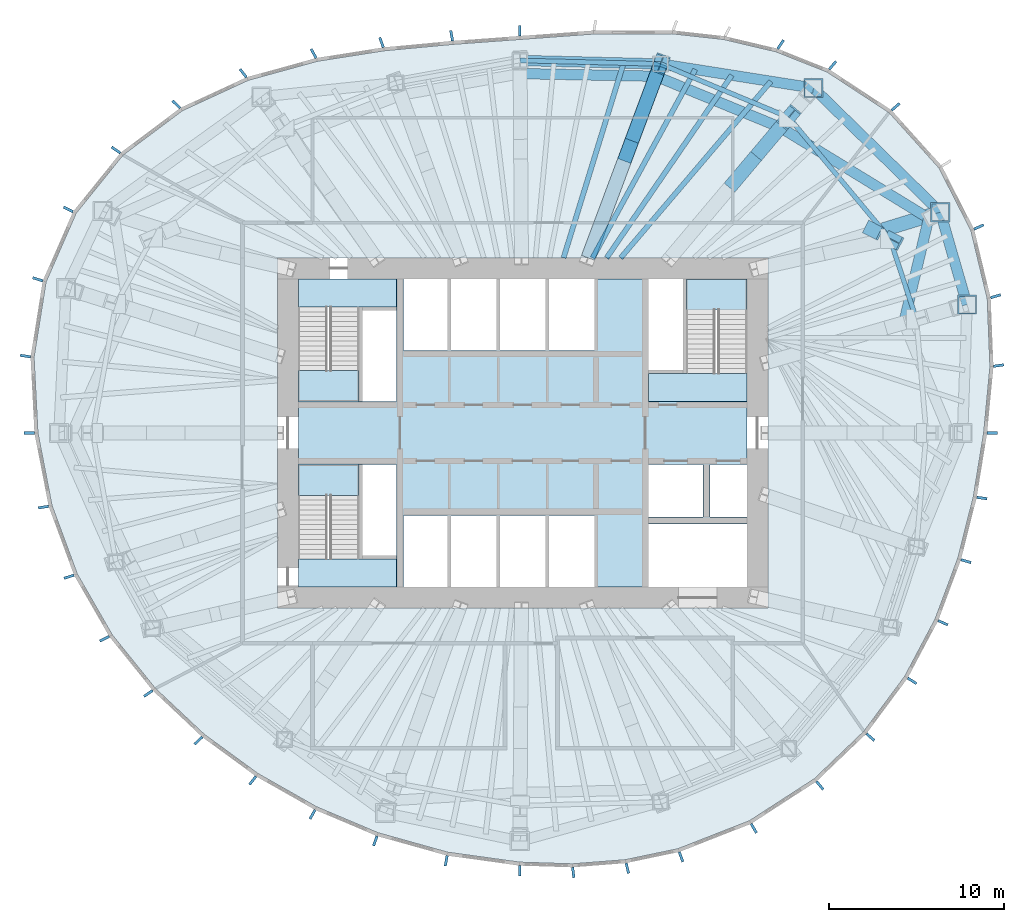
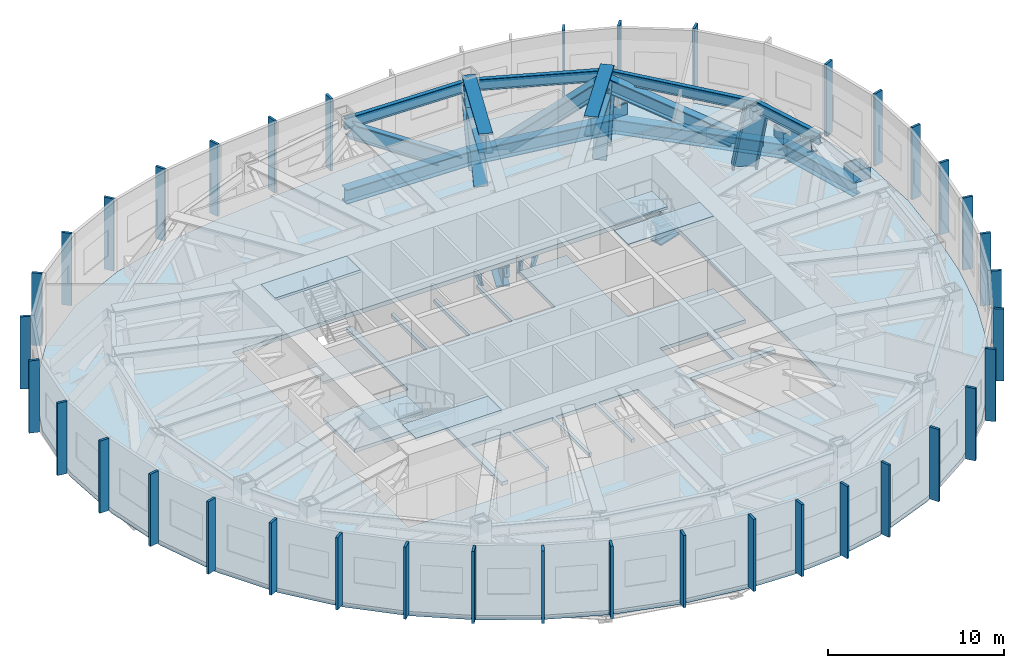
# One storey, part 5 of 11: 38 plates, 18 members, 8 beams, 8 slabs, 3 elements without a shape of their own.
"""IFC4 building model written with IfcOpenShell, lengths in metres."""

from ifc_helpers import new_model, si_unit, direction, frame, origin, origin_2d, place, context, subcontext, project, spatial, polyline, rectangle, hollow_rectangle, i_section, outline, extrude, material, layer, layer_set, material_profile, profile_set, type_object, element, aggregate, save


model = new_model("IFC4")

# Units and contexts
model_context = context("Model", 3, precision=1e-05, world=origin(), true_north=direction((0.0, 1.0)))
body_context = subcontext(model_context, "Body", "Model", "MODEL_VIEW")
ifc_project = project(units=[si_unit("LENGTHUNIT", "METRE"), si_unit("AREAUNIT", "SQUARE_METRE"), si_unit("VOLUMEUNIT", "CUBIC_METRE"), si_unit("PLANEANGLEUNIT", "RADIAN"), si_unit("MASSUNIT", "GRAM", prefix="KILO")], contexts=[model_context])

# Site, building, storey
site_placement = place(None, origin())
site = spatial("IfcSite", under=ifc_project, at=site_placement, CompositionType="ELEMENT")
building_placement = place(site_placement, origin())
building = spatial("IfcBuilding", under=site, at=building_placement, Name="Ghaith Harvest Tower", CompositionType="ELEMENT")
storey_placement = place(building_placement, frame((0.0, 0.0, 266.199951171875)))
storey = spatial("IfcBuildingStorey", under=building, at=storey_placement, Name="L59", CompositionType="ELEMENT", Elevation=266.199951171875)

# Members
ifc_material_1 = material(Name="Steel ASTM A992 Grade 50", Category="steel")
ifc_material_profile_1 = material_profile(ifc_material_1, i_section(OverallWidth=0.26806640625, OverallDepth=0.77001953125, WebThickness=0.015625, FlangeThickness=0.025390625, at=origin_2d()), Name="W760X196")
ifc_profile_set_1 = profile_set([ifc_material_profile_1], Name="Steel ASTM A992 Grade 50")
member_type_1 = type_object("IfcMemberType", Name="BC760-196 W760X196", PredefinedType="CHORD", material=ifc_profile_set_1)
member_1_placement = place(storey_placement, frame((22.485107421875, 6.4990234375, 4.130126953125), z_axis=(-0.312206727278, 0.950014189074, 0.0), x_axis=(-0.950014189074, -0.312206727278, 0.0)))
element("IfcMember", 1, at=member_1_placement, inside=storey, type_object=member_type_1, Name="Belt truss BT02 top chord", PredefinedType="CHORD", context=body_context, shape_type="SweptSolid", body=[
    extrude(i_section(OverallWidth=0.26806640625, OverallDepth=0.77001953125, WebThickness=0.015625, FlangeThickness=0.025390625, at=origin_2d()), origin(), (0.0, 0.0, 1.0), 4.830322265625),
])
member_2_placement = place(storey_placement, frame((20.97705078125, 11.087890625, 4.130126953125), z_axis=(-0.640173759088, 0.76823014662, 0.0), x_axis=(-0.76823014662, -0.640173759088, 0.0)))
element("IfcMember", 2, at=member_2_placement, inside=storey, type_object=member_type_1, Name="Belt truss BT03 top chord", PredefinedType="CHORD", context=body_context, shape_type="SweptSolid", body=[
    extrude(i_section(OverallWidth=0.26806640625, OverallDepth=0.77001953125, WebThickness=0.015625, FlangeThickness=0.025390625, at=origin_2d()), origin(), (0.0, 0.0, 1.0), 9.02734375),
])
member_3_placement = place(storey_placement, frame((15.197998046875, 18.02294921875, 4.130126953125), z_axis=(-0.923119729219, 0.384512633766, 0.0), x_axis=(-0.384512633766, -0.923119729219, 0.0)))
element("IfcMember", 3, at=member_3_placement, inside=storey, type_object=member_type_1, Name="Belt truss BT04 top chord", PredefinedType="CHORD", context=body_context, shape_type="SweptSolid", body=[
    extrude(i_section(OverallWidth=0.26806640625, OverallDepth=0.77001953125, WebThickness=0.015625, FlangeThickness=0.025390625, at=origin_2d()), origin(), (0.0, 0.0, 1.0), 7.9296875),
])
member_4_placement = place(storey_placement, frame((7.8779296875, 21.072021484375, 4.130126953125), z_axis=(-0.999692679676, 0.024790042413, 0.0), x_axis=(-0.024790042413, -0.999692679676, 0.0)))
element("IfcMember", 4, at=member_4_placement, inside=storey, type_object=member_type_1, Name="Belt truss BT05 top chord", PredefinedType="CHORD", context=body_context, shape_type="SweptSolid", body=[
    extrude(i_section(OverallWidth=0.26806640625, OverallDepth=0.77001953125, WebThickness=0.015625, FlangeThickness=0.025390625, at=origin_2d()), origin(), (0.0, 0.0, 1.0), 8.0263671875),
])
ifc_material_2 = material(Name="Steel S460", Category="steel")
ifc_material_profile_2 = material_profile(ifc_material_2, i_section(OverallWidth=0.60009765625, OverallDepth=0.89990234375, WebThickness=0.031982421875, FlangeThickness=0.06396484375, at=origin_2d()), Name="PG900X600X32X64")
ifc_profile_set_2 = profile_set([ifc_material_profile_2], Name="Steel S460")
member_type_2 = type_object("IfcMemberType", Name="BD900 PG900X600X32X64", PredefinedType="BRACE", material=ifc_profile_set_2)
member_5_placement = place(storey_placement, frame((21.764404296875, 6.290771484375, 4.130126953125), z_axis=(0.178155565538, 0.746085586886, -0.64157376155), x_axis=(-0.972654391724, 0.232257258787, 0.0)))
element("IfcMember", 5, at=member_5_placement, inside=storey, type_object=member_type_2, Name="Belt truss BT02 diagonal", PredefinedType="BRACE", context=body_context, shape_type="SweptSolid", body=[
    extrude(i_section(OverallWidth=0.60009765625, OverallDepth=0.89990234375, WebThickness=0.031982421875, FlangeThickness=0.06396484375, at=origin_2d()), origin(), (0.0, 0.0, 1.0), 7.99609375),
])
member_6_placement = place(storey_placement, frame((23.18896484375, 12.256591796875, -1.0), z_axis=(-0.7576626766, 0.464297853532, 0.458666296661), x_axis=(-0.522499847677, -0.852639378153, 0.0)))
element("IfcMember", 6, at=member_6_placement, inside=storey, type_object=member_type_2, Name="Belt truss BT03 diagonal", PredefinedType="BRACE", context=body_context, shape_type="SweptSolid", body=[
    extrude(i_section(OverallWidth=0.60009765625, OverallDepth=0.89990234375, WebThickness=0.031982421875, FlangeThickness=0.06396484375, at=origin_2d()), origin(), (0.0, 0.0, 1.0), 11.184814453125),
])
member_7_placement = place(storey_placement, frame((14.714599609375, 17.44970703125, 4.130126953125), z_axis=(-0.768921934607, 0.316236928811, -0.555655705753), x_axis=(-0.380361049123, -0.924838078969, 0.0)))
element("IfcMember", 7, at=member_7_placement, inside=storey, type_object=member_type_2, Name="Belt truss BT04 diagonal", PredefinedType="BRACE", context=body_context, shape_type="SweptSolid", body=[
    extrude(i_section(OverallWidth=0.60009765625, OverallDepth=0.89990234375, WebThickness=0.031982421875, FlangeThickness=0.06396484375, at=origin_2d()), origin(), (0.0, 0.0, 1.0), 9.232666015625),
])
member_8_placement = place(storey_placement, frame((7.615478515625, 20.369384765625, -1.0), z_axis=(-0.833957459062, 0.016301151466, 0.551587915872), x_axis=(-0.019543009117, -0.99980901716, 0.0)))
element("IfcMember", 8, at=member_8_placement, inside=storey, type_object=member_type_2, Name="Belt truss BT05 diagonal", PredefinedType="BRACE", context=body_context, shape_type="SweptSolid", body=[
    extrude(i_section(OverallWidth=0.60009765625, OverallDepth=0.89990234375, WebThickness=0.031982421875, FlangeThickness=0.06396484375, at=origin_2d()), origin(), (0.0, 0.0, 1.0), 9.300537109375),
])

# Beams
ifc_material_3 = material(Name="Steel S460", Category="steel")
ifc_material_profile_3 = material_profile(ifc_material_3, i_section(OverallWidth=0.60009765625, OverallDepth=1.0, WebThickness=0.02490234375, FlangeThickness=0.050048828125, at=origin_2d()), Name="PG1000X600X25X50")
ifc_profile_set_3 = profile_set([ifc_material_profile_3], Name="Steel S460")
beam_type_1 = type_object("IfcBeamType", Name="EPG1000 PG1000X600X25X50", PredefinedType="SPANDREL", material=ifc_profile_set_3)
beam_1_placement = place(storey_placement, frame((25.3779296875, 7.3349609375, -0.800048828125), z_axis=(-0.278021352648, 0.960574894254, 0.0), x_axis=(-0.960574894254, -0.278021352648, 0.0)))
element("IfcBeam", 9, at=beam_1_placement, inside=storey, type_object=beam_type_1, Name="Edge beam E02 L59", PredefinedType="SPANDREL", context=body_context, shape_type="SweptSolid", body=[
    extrude(i_section(OverallWidth=0.60009765625, OverallDepth=1.0, WebThickness=0.02490234375, FlangeThickness=0.050048828125, at=origin_2d()), origin(), (0.0, 0.0, 1.0), 5.48828125),
])
beam_2_placement = place(storey_placement, frame((23.85205078125, 12.60693359375, -0.800048828125), z_axis=(-0.714761249388, 0.699368541166, 0.0), x_axis=(-0.699368541166, -0.714761249388, 0.0)))
element("IfcBeam", 10, at=beam_2_placement, inside=storey, type_object=beam_type_1, Name="Edge beam E03 L59", PredefinedType="SPANDREL", context=body_context, shape_type="SweptSolid", body=[
    extrude(i_section(OverallWidth=0.60009765625, OverallDepth=1.0, WebThickness=0.02490234375, FlangeThickness=0.050048828125, at=origin_2d()), origin(), (0.0, 0.0, 1.0), 10.135009765625),
])
beam_3_placement = place(storey_placement, frame((16.60791015625, 19.695068359375, -0.800048828125), z_axis=(-0.987788485872, 0.155800857439, 0.0), x_axis=(-0.155800857439, -0.987788485872, 0.0)))
element("IfcBeam", 11, at=beam_3_placement, inside=storey, type_object=beam_type_1, Name="Edge beam E04 L59", PredefinedType="SPANDREL", context=body_context, shape_type="SweptSolid", body=[
    extrude(i_section(OverallWidth=0.60009765625, OverallDepth=1.0, WebThickness=0.02490234375, FlangeThickness=0.050048828125, at=origin_2d()), origin(), (0.0, 0.0, 1.0), 8.837890625),
])
beam_4_placement = place(storey_placement, frame((7.8779296875, 21.072021484375, -0.800048828125), z_axis=(-0.999692679676, 0.024790042413, 0.0), x_axis=(-0.024790042413, -0.999692679676, 0.0)))
element("IfcBeam", 12, at=beam_4_placement, inside=storey, type_object=beam_type_1, Name="Edge beam E05 L59", PredefinedType="SPANDREL", context=body_context, shape_type="SweptSolid", body=[
    extrude(i_section(OverallWidth=0.60009765625, OverallDepth=1.0, WebThickness=0.02490234375, FlangeThickness=0.050048828125, at=origin_2d()), origin(), (0.0, 0.0, 1.0), 8.0263671875),
])
ifc_material_4 = material(Name="Steel ASTM A992 Grade 50", Category="steel")
ifc_material_profile_4 = material_profile(ifc_material_4, i_section(OverallWidth=0.2939453125, OverallDepth=0.85107421875, WebThickness=0.01611328125, FlangeThickness=0.02685546875, at=origin_2d()), Name="W840X226")
ifc_profile_set_4 = profile_set([ifc_material_profile_4], Name="Steel ASTM A992 Grade 50")
beam_type_2 = type_object("IfcBeamType", Name="J840-226 W840X226", PredefinedType="JOIST", material=ifc_profile_set_4)
beam_5_placement = place(storey_placement, frame((5.60009765625, 10.0, -0.725341796875), z_axis=(0.648194422444, 0.761474878582, 0.0), x_axis=(-0.761474878582, 0.648194422444, 0.0)))
element("IfcBeam", 13, at=beam_5_placement, inside=storey, type_object=beam_type_2, Name="Joist J04.1 L59", PredefinedType="JOIST", context=body_context, shape_type="SweptSolid", body=[
    extrude(i_section(OverallWidth=0.2939453125, OverallDepth=0.85107421875, WebThickness=0.01611328125, FlangeThickness=0.02685546875, at=origin_2d()), origin(), (0.0, 0.0, 1.0), 13.235107421875),
])
beam_6_placement = place(storey_placement, frame((4.800048828125, 10.0, -0.725341796875), z_axis=(0.565277671826, 0.824900693256, 0.0), x_axis=(-0.824900693256, 0.565277671826, 0.0)))
element("IfcBeam", 14, at=beam_6_placement, inside=storey, type_object=beam_type_2, Name="Joist J04.2 L59", PredefinedType="JOIST", context=body_context, shape_type="SweptSolid", body=[
    extrude(i_section(OverallWidth=0.2939453125, OverallDepth=0.85107421875, WebThickness=0.01611328125, FlangeThickness=0.02685546875, at=origin_2d()), origin(), (0.0, 0.0, 1.0), 12.64404296875),
])
beam_7_placement = place(storey_placement, frame((4.0, 10.0, -0.725341796875), z_axis=(0.478357824489, 0.878165013964, 0.0), x_axis=(-0.878165013964, 0.478357824489, 0.0)))
element("IfcBeam", 15, at=beam_7_placement, inside=storey, type_object=beam_type_2, Name="Joist J04.3 L59", PredefinedType="JOIST", context=body_context, shape_type="SweptSolid", body=[
    extrude(i_section(OverallWidth=0.2939453125, OverallDepth=0.85107421875, WebThickness=0.01611328125, FlangeThickness=0.02685546875, at=origin_2d()), origin(), (0.0, 0.0, 1.0), 12.251953125),
])
beam_8_placement = place(storey_placement, frame((2.33837890625, 10.0, -0.725341796875), z_axis=(0.294698851552, 0.955590177269, 0.0), x_axis=(-0.955590177269, 0.294698851552, 0.0)))
element("IfcBeam", 16, at=beam_8_placement, inside=storey, type_object=beam_type_2, Name="Joist J05.1 L59", PredefinedType="JOIST", context=body_context, shape_type="SweptSolid", body=[
    extrude(i_section(OverallWidth=0.2939453125, OverallDepth=0.85107421875, WebThickness=0.01611328125, FlangeThickness=0.02685546875, at=origin_2d()), origin(), (0.0, 0.0, 1.0), 11.641357421875),
])

# Members
ifc_material_5 = material(Name="Steel S460M", Category="steel")
ifc_material_profile_5 = material_profile(ifc_material_5, hollow_rectangle(XDim=1.10009765625, YDim=1.10009765625, WallThickness=0.080078125, at=origin_2d()), Name="BOX1100X1100X80")
ifc_profile_set_5 = profile_set([ifc_material_profile_5], Name="Steel S460M")
member_type_3 = type_object("IfcMemberType", Name="KN1 BOX1100X1100X80", PredefinedType="USERDEFINED", material=ifc_profile_set_5)
for number, where, z_axis, x_axis, name in (
    (17, (25.3779296875, 7.3349609375, -0.77490234375), (0.0, 0.0, 1.0), (1.0, 0.0, 0.0), "Raked column kink node C02 base L59"),
    (18, (23.85205078125, 12.60693359375, -0.77490234375), (0.0, 0.0, 1.0), (1.0, 0.0, 0.0), "Raked column kink node C03 base L59"),
    (19, (16.60791015625, 19.695068359375, -0.77490234375), (0.0, 0.0, 1.0), (1.0, 0.0, 0.0), "Raked column kink node C04 base L59"),
):
    element("IfcMember", number, at=place(storey_placement, frame(where, z_axis=z_axis, x_axis=x_axis)), inside=storey, type_object=member_type_3, Name=name, ObjectType="KINK NODE", PredefinedType="USERDEFINED", context=body_context, shape_type="SweptSolid", body=[
        extrude(hollow_rectangle(XDim=1.10009765625, YDim=1.10009765625, WallThickness=0.080078125, at=origin_2d()), origin(), (0.0, 0.0, 1.0), 1.550048828125),
    ])
ifc_material_6 = material(Name="Steel S460", Category="steel")
ifc_material_profile_6 = material_profile(ifc_material_6, i_section(OverallWidth=0.800048828125, OverallDepth=1.39990234375, WebThickness=0.050048828125, FlangeThickness=0.10009765625, at=origin_2d()), Name="PG1400X800X50X100")
ifc_profile_set_6 = profile_set([ifc_material_profile_6], Name="Steel S460")
member_type_4 = type_object("IfcMemberType", Name="OC1400 PG1400X800X50X100", PredefinedType="CHORD", material=ifc_profile_set_6)
member_9_placement = place(storey_placement, frame((13.39990234375, 9.39990234375, -1.0), z_axis=(0.956010465619, 0.293332558076, 0.0), x_axis=(-0.293332558076, 0.956010465619, 0.0)))
element("IfcMember", 20, at=member_9_placement, inside=storey, type_object=member_type_4, Name="Outrigger truss OT03 bottom chord", PredefinedType="CHORD", context=body_context, shape_type="SweptSolid", body=[
    extrude(i_section(OverallWidth=0.800048828125, OverallDepth=1.39990234375, WebThickness=0.050048828125, FlangeThickness=0.10009765625, at=origin_2d()), origin(), (0.0, 0.0, 1.0), 10.93310546875),
])
member_10_placement = place(storey_placement, frame((11.8154296875, 14.011474609375, 4.130126953125), z_axis=(0.644635644582, 0.764489951363, 0.0), x_axis=(-0.764489951363, 0.644635644582, 0.0)))
element("IfcMember", 21, at=member_10_placement, inside=storey, type_object=member_type_4, Name="Outrigger truss OT04 top chord 2", PredefinedType="CHORD", context=body_context, shape_type="SweptSolid", body=[
    extrude(i_section(OverallWidth=0.800048828125, OverallDepth=1.39990234375, WebThickness=0.050048828125, FlangeThickness=0.10009765625, at=origin_2d()), origin(), (0.0, 0.0, 1.0), 5.247314453125),
])
member_11_placement = place(storey_placement, frame((3.73828125, 10.0, -1.0), z_axis=(0.350206582147, 0.936672488024, 0.0), x_axis=(-0.936672488024, 0.350206582147, 0.0)))
element("IfcMember", 22, at=member_11_placement, inside=storey, type_object=member_type_4, Name="Outrigger truss OT05 bottom chord", PredefinedType="CHORD", context=body_context, shape_type="SweptSolid", body=[
    extrude(i_section(OverallWidth=0.800048828125, OverallDepth=1.39990234375, WebThickness=0.050048828125, FlangeThickness=0.10009765625, at=origin_2d()), origin(), (0.0, 0.0, 1.0), 11.820556640625),
])
member_12_placement = place(storey_placement, frame((5.80810546875, 15.535888671875, 4.130126953125), z_axis=(0.350199807211, 0.936675021034, 0.0), x_axis=(-0.936675021034, 0.350199807211, 0.0)))
element("IfcMember", 23, at=member_12_placement, inside=storey, type_object=member_type_4, Name="Outrigger truss OT05 top chord 2", PredefinedType="CHORD", context=body_context, shape_type="SweptSolid", body=[
    extrude(i_section(OverallWidth=0.800048828125, OverallDepth=1.39990234375, WebThickness=0.050048828125, FlangeThickness=0.10009765625, at=origin_2d()), origin(), (0.0, 0.0, 1.0), 5.910400390625),
])
ifc_material_7 = material(Name="Steel S460", Category="steel")
ifc_material_profile_7 = material_profile(ifc_material_7, i_section(OverallWidth=0.800048828125, OverallDepth=1.39990234375, WebThickness=0.050048828125, FlangeThickness=0.10009765625, at=origin_2d()), Name="PG1400X800X50X100")
ifc_profile_set_7 = profile_set([ifc_material_profile_7], Name="Steel S460")
member_type_5 = type_object("IfcMemberType", Name="OD1400 PG1400X800X50X100", PredefinedType="BRACE", material=ifc_profile_set_7)
member_13_placement = place(storey_placement, frame((20.19384765625, 11.484619140625, -1.0), z_axis=(0.150479693981, -0.076224907332, 0.985670140159), x_axis=(0.451879231204, 0.892079122279, 0.0)))
element("IfcMember", 24, at=member_13_placement, inside=storey, type_object=member_type_5, Name="Outrigger truss OT03 diagonal 2", PredefinedType="BRACE", context=body_context, shape_type="SweptSolid", body=[
    extrude(i_section(OverallWidth=0.800048828125, OverallDepth=1.39990234375, WebThickness=0.050048828125, FlangeThickness=0.10009765625, at=origin_2d()), origin(), (0.0, 0.0, 1.0), 5.20458984375),
])
member_14_placement = place(storey_placement, frame((13.74658203125, 16.3017578125, -1.0), z_axis=(0.259068646789, 0.307221860363, 0.915695454158), x_axis=(-0.764475169262, 0.644653174647, 0.0)))
element("IfcMember", 25, at=member_14_placement, inside=storey, type_object=member_type_5, Name="Outrigger truss OT04 diagonal 2", PredefinedType="BRACE", context=body_context, shape_type="SweptSolid", body=[
    extrude(i_section(OverallWidth=0.800048828125, OverallDepth=1.39990234375, WebThickness=0.050048828125, FlangeThickness=0.10009765625, at=origin_2d()), origin(), (0.0, 0.0, 1.0), 5.6025390625),
])
member_15_placement = place(storey_placement, frame((6.42919921875, 17.19677734375, -1.0), z_axis=(0.219821406555, 0.588005592559, 0.77841375395), x_axis=(-0.936685187451, 0.35017261402, 0.0)))
element("IfcMember", 26, at=member_15_placement, inside=storey, type_object=member_type_5, Name="Outrigger truss OT05 diagonal 2", PredefinedType="BRACE", context=body_context, shape_type="SweptSolid", body=[
    extrude(i_section(OverallWidth=0.800048828125, OverallDepth=1.39990234375, WebThickness=0.050048828125, FlangeThickness=0.10009765625, at=origin_2d()), origin(), (0.0, 0.0, 1.0), 6.590576171875),
])

# Slabs
ifc_material_8 = material(Name="Concrete C40/50", Category="concrete")
ifc_layer_1 = layer(ifc_material_8, 0.25)
ifc_layer_set_1 = layer_set([ifc_layer_1], Name="FLOOR SLAB 250")
slab_type_1 = type_object("IfcSlabType", Name="FLOOR SLAB 250", PredefinedType="FLOOR", material=ifc_layer_set_1)
slab_1_placement = place(storey_placement, frame((0.0, 0.0, -0.25)))
element("IfcSlab", 27, at=slab_1_placement, inside=storey, type_object=slab_type_1, Name="Core slab L59", PredefinedType="FLOOR", context=body_context, shape_type="SweptSolid", body=[
    extrude(outline(polyline([(-12.800048828125, 1.800048828125), (-7.199951171875, 1.800048828125), (-7.199951171875, 8.800048828125), (-6.800048828125, 8.800048828125), (-6.800048828125, 4.699951171875), (-4.300048828125, 4.699951171875), (-4.300048828125, 8.800048828125), (-4.10009765625, 8.800048828125), (-4.10009765625, 4.699951171875), (-1.5, 4.699951171875), (-1.5, 8.800048828125), (-1.300048828125, 8.800048828125), (-1.300048828125, 4.699951171875), (1.300048828125, 4.699951171875), (1.300048828125, 8.800048828125), (1.5, 8.800048828125), (1.5, 4.699951171875), (4.10009765625, 4.699951171875), (4.10009765625, 8.800048828125), (7.199951171875, 8.800048828125), (7.199951171875, 1.800048828125), (12.800048828125, 1.800048828125), (12.800048828125, -1.800048828125), (10.699951171875, -1.800048828125), (10.699951171875, -4.800048828125), (12.800048828125, -4.800048828125), (12.800048828125, -5.199951171875), (7.199951171875, -5.199951171875), (7.199951171875, -8.800048828125), (4.10009765625, -8.800048828125), (4.10009765625, -4.699951171875), (1.5, -4.699951171875), (1.5, -8.800048828125), (1.300048828125, -8.800048828125), (1.300048828125, -4.699951171875), (-1.300048828125, -4.699951171875), (-1.300048828125, -8.800048828125), (-1.5, -8.800048828125), (-1.5, -4.699951171875), (-4.10009765625, -4.699951171875), (-4.10009765625, -8.800048828125), (-4.300048828125, -8.800048828125), (-4.300048828125, -4.699951171875), (-6.800048828125, -4.699951171875), (-6.800048828125, -8.800048828125), (-7.199951171875, -8.800048828125), (-7.199951171875, -1.800048828125), (-12.800048828125, -1.800048828125), (-12.800048828125, 1.800048828125)]), holes=[polyline([(10.300048828125, -4.800048828125), (10.300048828125, -1.800048828125), (7.199951171875, -1.800048828125), (7.199951171875, -4.800048828125), (10.300048828125, -4.800048828125)])]), origin(), (0.0, 0.0, 1.0), 0.25),
])
ifc_material_9 = material(Name="Concrete C40/50", Category="concrete")
ifc_layer_2 = layer(ifc_material_9, 0.300048828125)
ifc_layer_set_2 = layer_set([ifc_layer_2], Name="FLOOR SLAB 300")
slab_type_2 = type_object("IfcSlabType", Name="FLOOR SLAB 300", PredefinedType="FLOOR", material=ifc_layer_set_2)
slab_2_placement = place(storey_placement, frame((0.0, 0.0, -0.300048828125)))
element("IfcSlab", 28, at=slab_2_placement, inside=storey, type_object=slab_type_2, Name="Floor slab L59", PredefinedType="FLOOR", context=body_context, shape_type="SweptSolid", body=[
    extrude(outline(polyline([(26.324951171875, 0.0), (26.685791015625, 3.779052734375), (26.531005859375, 7.668212890625), (25.597900390625, 11.55615234375), (23.77294921875, 15.12939453125), (20.923095703125, 18.295166015625), (17.382080078125, 20.612548828125), (14.460693359375, 21.771484375), (11.47265625, 22.47265625), (8.522216796875, 22.796875), (4.03857421875, 22.78125), (-0.15380859375, 22.470458984375), (-3.963134765625, 22.192138671875), (-7.8837890625, 21.827880859375), (-11.694580078125, 21.2314453125), (-15.6474609375, 20.147705078125), (-19.408203125, 18.41650390625), (-22.809814453125, 15.87109375), (-25.491943359375, 12.547607421875), (-27.211181640625, 8.623779296875), (-27.897216796875, 4.314697265625), (-27.675048828125, 0.0), (-26.86669921875, -4.155517578125), (-25.424072265625, -8.057373046875), (-23.425537109375, -11.530517578125), (-20.963134765625, -14.586181640625), (-18.15087890625, -17.223388671875), (-15.10400390625, -19.447998046875), (-11.75732421875, -21.345703125), (-8.2451171875, -22.82861328125), (-4.27490234375, -23.9375), (-0.167724609375, -24.505126953125), (2.833984375, -24.602294921875), (5.865234375, -24.3662109375), (8.8740234375, -23.73779296875), (12.949462890625, -22.1435546875), (16.651611328125, -19.746337890625), (19.48388671875, -17.036865234375), (21.821533203125, -13.887451171875), (23.548828125, -10.631103515625), (24.840576171875, -7.179443359375), (25.734375, -3.644287109375), (26.324951171875, 0.0)]), holes=[polyline([(-14.0, -10.0), (14.0, -10.0), (14.0, 10.0), (-14.0, 10.0), (-14.0, -10.0)])]), origin(), (0.0, 0.0, 1.0), 0.300048828125),
])

# Stair, slabs
ifc_material_10 = material(Name="Concrete C40/50, precast", Category="concrete")
stair_type = type_object("IfcStairType", Name="CORE STAIR 28R", PredefinedType="HALF_TURN_STAIR", material=ifc_material_10)
stair_1_placement = place(storey_placement, origin())
stair_1 = element("IfcStair", 29, at=stair_1_placement, inside=storey, type_object=stair_type, Name="Stair ST1 L59", PredefinedType="HALF_TURN_STAIR")
ifc_material_11 = material(Name="Concrete C40/50, precast", Category="concrete")
ifc_layer_3 = layer(ifc_material_11, 0.179931640625)
ifc_layer_set_3 = layer_set([ifc_layer_3], Name="STAIR LANDING 180")
slab_type_3 = type_object("IfcSlabType", Name="STAIR LANDING 180", PredefinedType="LANDING", material=ifc_layer_set_3)
slab_3_placement = place(storey_placement, frame((0.0, 0.0, 2.320068359375)))
slab_3 = element("IfcSlab", 30, at=slab_3_placement, type_object=slab_type_3, Name="ST1 landing 1", PredefinedType="LANDING", context=body_context, shape_type="SweptSolid", body=[
    extrude(outline(polyline([(-12.800048828125, 3.580078125), (-12.800048828125, 1.77490234375), (-9.35009765625, 1.77490234375), (-9.35009765625, 3.580078125), (-12.800048828125, 3.580078125)])), origin(), (0.0, 0.0, 1.0), 0.179931640625),
])
slab_4_placement = place(storey_placement, frame((0.0, 0.0, 4.820068359375)))
slab_4 = element("IfcSlab", 31, at=slab_4_placement, type_object=slab_type_3, Name="ST1 landing 2", PredefinedType="LANDING", context=body_context, shape_type="SweptSolid", body=[
    extrude(outline(polyline([(-12.800048828125, 8.800048828125), (-12.800048828125, 7.199951171875), (-7.199951171875, 7.199951171875), (-7.199951171875, 8.800048828125), (-12.800048828125, 8.800048828125)])), origin(), (0.0, 0.0, 1.0), 0.179931640625),
])
aggregate(stair_1, [slab_3, slab_4])

stair_2_placement = place(storey_placement, origin())
stair_2 = element("IfcStair", 32, at=stair_2_placement, inside=storey, type_object=stair_type, Name="Stair ST3 L59", PredefinedType="HALF_TURN_STAIR")
slab_5_placement = place(storey_placement, frame((0.0, 0.0, 2.320068359375)))
slab_5 = element("IfcSlab", 33, at=slab_5_placement, type_object=slab_type_3, Name="ST3 landing 1", PredefinedType="LANDING", context=body_context, shape_type="SweptSolid", body=[
    extrude(outline(polyline([(-12.800048828125, -3.580078125), (-12.800048828125, -1.77490234375), (-9.35009765625, -1.77490234375), (-9.35009765625, -3.580078125), (-12.800048828125, -3.580078125)])), origin(), (0.0, 0.0, 1.0), 0.179931640625),
])
slab_6_placement = place(storey_placement, frame((0.0, 0.0, 4.820068359375)))
slab_6 = element("IfcSlab", 34, at=slab_6_placement, type_object=slab_type_3, Name="ST3 landing 2", PredefinedType="LANDING", context=body_context, shape_type="SweptSolid", body=[
    extrude(outline(polyline([(-12.800048828125, -8.800048828125), (-12.800048828125, -7.199951171875), (-7.199951171875, -7.199951171875), (-7.199951171875, -8.800048828125), (-12.800048828125, -8.800048828125)])), origin(), (0.0, 0.0, 1.0), 0.179931640625),
])
aggregate(stair_2, [slab_5, slab_6])

stair_3_placement = place(storey_placement, origin())
stair_3 = element("IfcStair", 35, at=stair_3_placement, inside=storey, type_object=stair_type, Name="Stair ST2 L59", PredefinedType="HALF_TURN_STAIR")
slab_7_placement = place(storey_placement, frame((0.0, 0.0, 2.320068359375)))
slab_7 = element("IfcSlab", 36, at=slab_7_placement, type_object=slab_type_3, Name="ST2 landing 1", PredefinedType="LANDING", context=body_context, shape_type="SweptSolid", body=[
    extrude(outline(polyline([(12.800048828125, 7.02001953125), (12.800048828125, 8.800048828125), (9.35009765625, 8.800048828125), (9.35009765625, 7.02001953125), (12.800048828125, 7.02001953125)])), origin(), (0.0, 0.0, 1.0), 0.179931640625),
])
slab_8_placement = place(storey_placement, frame((0.0, 0.0, 4.820068359375)))
slab_8 = element("IfcSlab", 37, at=slab_8_placement, type_object=slab_type_3, Name="ST2 landing 2", PredefinedType="LANDING", context=body_context, shape_type="SweptSolid", body=[
    extrude(outline(polyline([(12.800048828125, 1.800048828125), (12.800048828125, 3.39990234375), (7.199951171875, 3.39990234375), (7.199951171875, 1.800048828125), (12.800048828125, 1.800048828125)])), origin(), (0.0, 0.0, 1.0), 0.179931640625),
])
aggregate(stair_3, [slab_7, slab_8])

# Plates
ifc_material_12 = material(Name="Glassfibre-reinforced concrete", Category="concrete")
ifc_layer_4 = layer(ifc_material_12, 0.14990234375)
ifc_layer_set_4 = layer_set([ifc_layer_4], Name="SUN-BREAKER FIN 600x150")
plate_type = type_object("IfcPlateType", Name="SUN-BREAKER FIN 600x150", PredefinedType="USERDEFINED", material=ifc_layer_set_4)
for number, where, z_axis, x_axis, name in (
    (38, (26.824951171875, 0.0, 0.0), (0.0, 0.0, 1.0), (1.0, 0.0, 0.0), "Sun-breaker fin 01.1 L59"),
    (39, (27.180908203125, 3.84912109375, 0.0), (0.0, 0.0, 1.0), (0.990121293141, 0.140213497457, 0.0), "Sun-breaker fin 01.2 L59"),
    (40, (27.011474609375, 7.806884765625, 0.0), (0.0, 0.0, 1.0), (0.960680349985, 0.277656739792, 0.0), "Sun-breaker fin 02.1 L59"),
    (41, (26.053466796875, 11.76171875, 0.0), (0.0, 0.0, 1.0), (0.91142675091, 0.411462364895, 0.0), "Sun-breaker fin 02.2 L59"),
    (42, (21.299560546875, 18.624267578125, 0.0), (0.0, 0.0, 1.0), (0.752799445224, 0.658249948933, 0.0), "Sun-breaker fin 03.2 L59"),
    (43, (17.704345703125, 20.994873046875, 0.0), (0.0, 0.0, 1.0), (0.644657240203, 0.764471740913, 0.0), "Sun-breaker fin 04.1 L59"),
    (44, (14.737548828125, 22.18798828125, 0.0), (0.0, 0.0, 1.0), (0.553282686819, 0.832993558478, 0.0), "Sun-breaker fin 04.2 L59"),
    (45, (-0.1572265625, 22.970458984375, 0.0), (0.0, 0.0, 1.0), (-0.006843747783, 0.999976581284, 0.0), "Sun-breaker fin 06.1 L59"),
    (46, (-4.051025390625, 22.684326171875, 0.0), (0.0, 0.0, 1.0), (-0.175802166256, 0.984425516908, 0.0), "Sun-breaker fin 06.2 L59"),
    (47, (-8.0537109375, 22.29833984375, 0.0), (0.0, 0.0, 1.0), (-0.339699453402, 0.94053404051, 0.0), "Sun-breaker fin 07.1 L59"),
    (48, (-11.935791015625, 21.66943359375, 0.0), (0.0, 0.0, 1.0), (-0.482462419255, 0.875916670698, 0.0), "Sun-breaker fin 07.2 L59"),
    (49, (-15.9541015625, 20.54248046875, 0.0), (0.0, 0.0, 1.0), (-0.613377714422, 0.78978970584, 0.0), "Sun-breaker fin 08.1 L59"),
    (50, (-19.770751953125, 18.760498046875, 0.0), (0.0, 0.0, 1.0), (-0.725396334676, 0.688331430082, 0.0), "Sun-breaker fin 08.2 L59"),
    (51, (-23.22021484375, 16.15673828125, 0.0), (0.0, 0.0, 1.0), (-0.820845486523, 0.571150319316, 0.0), "Sun-breaker fin 09.1 L59"),
    (52, (-25.9404296875, 12.7685546875, 0.0), (0.0, 0.0, 1.0), (-0.897201221338, 0.441621974577, 0.0), "Sun-breaker fin 09.2 L59"),
    (53, (-27.68798828125, 8.77490234375, 0.0), (0.0, 0.0, 1.0), (-0.953273219358, 0.302109531884, 0.0), "Sun-breaker fin 10.1 L59"),
    (54, (-28.391357421875, 4.391357421875, 0.0), (0.0, 0.0, 1.0), (-0.988249264984, 0.152850875882, 0.0), "Sun-breaker fin 10.2 L59"),
    (55, (-28.175048828125, 0.0, 0.0), (0.0, 0.0, 1.0), (-1.0, -4.19e-10, 0.0), "Sun-breaker fin 11.1 L59"),
    (56, (-27.36083984375, -4.23193359375, 0.0), (0.0, 0.0, 1.0), (-0.988249265011, -0.152850875709, 0.0), "Sun-breaker fin 11.2 L59"),
    (57, (-25.900634765625, -8.20849609375, 0.0), (0.0, 0.0, 1.0), (-0.953273219416, -0.302109531701, 0.0), "Sun-breaker fin 12.1 L59"),
    (58, (-23.874267578125, -11.75146484375, 0.0), (0.0, 0.0, 1.0), (-0.897201221415, -0.441621974421, 0.0), "Sun-breaker fin 12.2 L59"),
    (59, (-21.37353515625, -14.871826171875, 0.0), (0.0, 0.0, 1.0), (-0.820845486622, -0.571150319173, 0.0), "Sun-breaker fin 13.1 L59"),
    (60, (-18.513671875, -17.567626953125, 0.0), (0.0, 0.0, 1.0), (-0.725396334808, -0.688331429943, 0.0), "Sun-breaker fin 13.2 L59"),
    (61, (-15.41064453125, -19.8427734375, 0.0), (0.0, 0.0, 1.0), (-0.613377713774, -0.789789706343, 0.0), "Sun-breaker fin 14.1 L59"),
    (62, (-11.99853515625, -21.78369140625, 0.0), (0.0, 0.0, 1.0), (-0.48246241765, -0.875916671582, 0.0), "Sun-breaker fin 14.2 L59"),
    (63, (-8.4150390625, -23.299072265625, 0.0), (0.0, 0.0, 1.0), (-0.33969945263, -0.940534040789, 0.0), "Sun-breaker fin 15.1 L59"),
    (64, (-4.36279296875, -24.4296875, 0.0), (0.0, 0.0, 1.0), (-0.175802165449, -0.984425517052, 0.0), "Sun-breaker fin 15.2 L59"),
    (65, (-0.171142578125, -25.005126953125, 0.0), (0.0, 0.0, 1.0), (-0.006843747957, -0.999976581283, 0.0), "Sun-breaker fin 16.1 L59"),
    (66, (2.89111328125, -25.098876953125, 0.0), (0.0, 0.0, 1.0), (0.114436255493, -0.993430593161, 0.0), "Sun-breaker fin 16.2 L59"),
    (67, (5.982177734375, -24.852294921875, 0.0), (0.0, 0.0, 1.0), (0.234028131836, -0.972229825458, 0.0), "Sun-breaker fin 16.3 L59"),
    (68, (9.049072265625, -24.2060546875, 0.0), (0.0, 0.0, 1.0), (0.35016769691, -0.93668702566, 0.0), "Sun-breaker fin 17.1 L59"),
    (69, (13.201904296875, -22.5751953125, 0.0), (0.0, 0.0, 1.0), (0.504810548935, -0.863230160319, 0.0), "Sun-breaker fin 17.2 L59"),
    (70, (16.973876953125, -20.128662109375, 0.0), (0.0, 0.0, 1.0), (0.644657240069, -0.764471741025, 0.0), "Sun-breaker fin 18.1 L59"),
    (71, (19.8603515625, -17.365966796875, 0.0), (0.0, 0.0, 1.0), (0.752799445098, -0.658249949077, 0.0), "Sun-breaker fin 18.2 L59"),
    (72, (22.243408203125, -14.15576171875, 0.0), (0.0, 0.0, 1.0), (0.84364397137, -0.536903016913, 0.0), "Sun-breaker fin 19.1 L59"),
    (73, (24.004638671875, -10.8369140625, 0.0), (0.0, 0.0, 1.0), (0.911426750831, -0.41146236507, 0.0), "Sun-breaker fin 19.2 L59"),
    (74, (25.321044921875, -7.318359375, 0.0), (0.0, 0.0, 1.0), (0.960680349932, -0.277656739976, 0.0), "Sun-breaker fin 20.1 L59"),
    (75, (26.229248046875, -3.71435546875, 0.0), (0.0, 0.0, 1.0), (0.990121293116, -0.14021349763, 0.0), "Sun-breaker fin 20.2 L59"),
):
    element("IfcPlate", number, at=place(storey_placement, frame(where, z_axis=z_axis, x_axis=x_axis)), inside=storey, type_object=plate_type, Name=name, ObjectType="SUN-BREAKER FIN", PredefinedType="USERDEFINED", context=body_context, shape_type="SweptSolid", body=[
        extrude(rectangle(XDim=0.60009765625, YDim=0.14990234375, at=origin_2d()), origin(), (0.0, 0.0, 1.0), 5.0),
    ])

save(model, "model.ifc")
